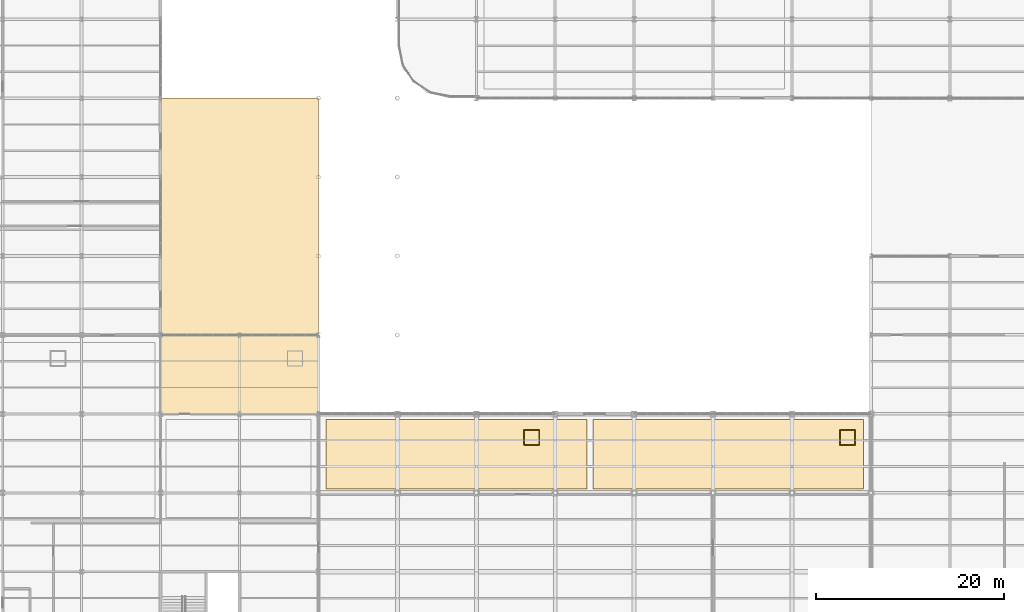
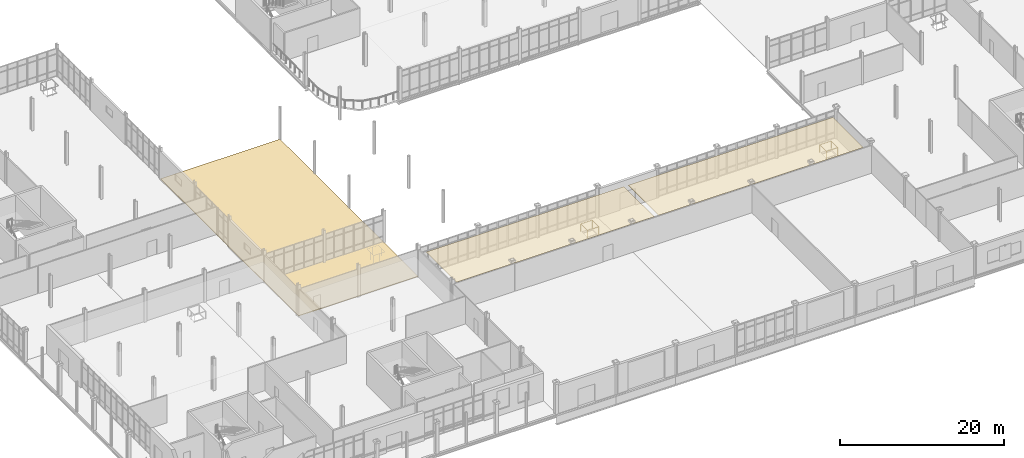
# One storey, part 138 of 145: 3 coverings, 2 railings.
"""IFC4 building model written with IfcOpenShell, lengths in metres."""

from ifc_helpers import new_model, si_unit, direction, frame, origin, origin_2d, place, context, subcontext, project, spatial, polyline, circle, outline, extrude, material, layer, layer_set, type_object, element, save


model = new_model("IFC4")

# Units and contexts
model_context = context("Model", 3, precision=1e-05, world=origin(), true_north=direction((0.0, 1.0)))
body_context = subcontext(model_context, "Body", "Model", "MODEL_VIEW")
ifc_project = project(units=[si_unit("LENGTHUNIT", "METRE"), si_unit("AREAUNIT", "SQUARE_METRE"), si_unit("VOLUMEUNIT", "CUBIC_METRE"), si_unit("PLANEANGLEUNIT", "RADIAN"), si_unit("MASSUNIT", "GRAM", prefix="KILO")], contexts=[model_context])

# Site, building, storey
site_placement = place(None, origin())
site = spatial("IfcSite", under=ifc_project, at=site_placement, CompositionType="ELEMENT")
building_placement = place(site_placement, origin())
building = spatial("IfcBuilding", under=site, at=building_placement, Name="Qalvenar Corner Mobility Hub", CompositionType="ELEMENT")
storey_placement = place(building_placement, origin())
storey = spatial("IfcBuildingStorey", under=building, at=storey_placement, Name="L00", CompositionType="ELEMENT", Elevation=0.0)

# Coverings
ifc_material_1 = material(Name="Perforated Acoustic Mineral Ceiling Board", Category="concrete")
ifc_layer_1 = layer(ifc_material_1, 0.02490234375)
ifc_layer_set_1 = layer_set([ifc_layer_1], Name="Perforated Acoustic Mineral Ceiling Board")
covering_type_1 = type_object("IfcCoveringType", Name="COV-CEIL-AC", PredefinedType="CEILING", material=ifc_layer_set_1)
covering_1_placement = place(storey_placement, frame((0.0, 0.0, 3.64990234375)))
element("IfcCovering", 1, at=covering_1_placement, inside=storey, type_object=covering_type_1, Name="Waiting Lounge West Acoustic Ceiling", PredefinedType="CEILING", context=body_context, shape_type="SweptSolid", body=[
    extrude(outline(polyline([(51.199951171875, 25.60009765625), (79.0, 25.60009765625), (79.0, 33.0), (51.199951171875, 33.0), (51.199951171875, 25.60009765625)])), origin(), (0.0, 0.0, 1.0), 0.025146484375),
])
covering_2_placement = place(storey_placement, frame((0.0, 0.0, 3.64990234375)))
element("IfcCovering", 2, at=covering_2_placement, inside=storey, type_object=covering_type_1, Name="Waiting Lounge East Acoustic Ceiling", PredefinedType="CEILING", context=body_context, shape_type="SweptSolid", body=[
    extrude(outline(polyline([(79.60009765625, 25.60009765625), (108.39990234375, 25.60009765625), (108.39990234375, 33.0), (79.60009765625, 33.0), (79.60009765625, 25.60009765625)])), origin(), (0.0, 0.0, 1.0), 0.025146484375),
])
ifc_material_2 = material(Name="Heavy-Duty Interlocking Concrete Apron Paving C40/50", Category="concrete")
ifc_layer_2 = layer(ifc_material_2, 0.080078125)
ifc_layer_set_2 = layer_set([ifc_layer_2], Name="Heavy-Duty Interlocking Concrete Apron Paving C40/50")
covering_type_2 = type_object("IfcCoveringType", Name="COV-PAV-ROAD", PredefinedType="USERDEFINED", material=ifc_layer_set_2)
covering_3_placement = place(storey_placement, frame((0.0, 0.0, -0.080078125)))
element("IfcCovering", 3, at=covering_3_placement, inside=storey, type_object=covering_type_2, Name="Central Shaded Courtyard Forecourt Apron", ObjectType="ROADWAY", PredefinedType="USERDEFINED", context=body_context, shape_type="SweptSolid", body=[
    extrude(outline(polyline([(33.60009765625, 33.60009765625), (50.39990234375, 33.60009765625), (50.39990234375, 67.199951171875), (33.60009765625, 67.199951171875), (33.60009765625, 33.60009765625)])), origin(), (0.0, 0.0, 1.0), 0.080078125),
])

# Railings
ifc_material_3 = material(Name="Galvanised Steel Deck Edge Barrier", Category="steel")
railing_type = type_object("IfcRailingType", Name="RL-GUARD-115", PredefinedType="GUARDRAIL", material=ifc_material_3)
railing_1_placement = place(storey_placement, frame((72.300048828125, 30.300048828125, 0.0)))
element("IfcRailing", 4, at=railing_1_placement, inside=storey, type_object=railing_type, Name="Riser Opening Guard V1-A-L00", PredefinedType="GUARDRAIL", context=body_context, shape_type="SweptSolid", body=[
    extrude(circle(Radius=0.02392578125, at=origin_2d()), frame((0.0, 0.0, 1.1259765625), z_axis=(1.0, 0.0, 0.0), x_axis=(0.0, 1.0, 0.0)), (0.0, 0.0, 1.0), 1.599853515625),
    extrude(circle(Radius=0.02392578125, at=origin_2d()), frame((1.599853515625, 0.0, 1.1259765625), z_axis=(0.0, 1.0, 0.0), x_axis=(-1.0, 0.0, 0.0)), (0.0, 0.0, 1.0), 1.599853515625),
    extrude(circle(Radius=0.02392578125, at=origin_2d()), frame((1.599853515625, 1.599853515625, 1.1259765625), z_axis=(-1.0, 0.0, 0.0), x_axis=(0.0, -1.0, 0.0)), (0.0, 0.0, 1.0), 1.599853515625),
    extrude(circle(Radius=0.02392578125, at=origin_2d()), frame((0.0, 1.599853515625, 1.1259765625), z_axis=(0.0, -1.0, 0.0), x_axis=(1.0, 0.0, 0.0)), (0.0, 0.0, 1.0), 1.599853515625),
    extrude(circle(Radius=0.02099609375, at=origin_2d()), origin(), (0.0, 0.0, 1.0), 1.101806640625),
    extrude(circle(Radius=0.02099609375, at=origin_2d()), frame((0.7998046875, 0.0, 0.0)), (0.0, 0.0, 1.0), 1.101806640625),
    extrude(circle(Radius=0.02099609375, at=origin_2d()), frame((1.599853515625, 0.0, 0.0)), (0.0, 0.0, 1.0), 1.101806640625),
    extrude(circle(Radius=0.02099609375, at=origin_2d()), frame((1.599853515625, 0.7998046875, 0.0)), (0.0, 0.0, 1.0), 1.101806640625),
    extrude(circle(Radius=0.02099609375, at=origin_2d()), frame((1.599853515625, 1.599853515625, 0.0)), (0.0, 0.0, 1.0), 1.101806640625),
    extrude(circle(Radius=0.02099609375, at=origin_2d()), frame((0.7998046875, 1.599853515625, 0.0)), (0.0, 0.0, 1.0), 1.101806640625),
    extrude(circle(Radius=0.02099609375, at=origin_2d()), frame((0.0, 1.599853515625, 0.0)), (0.0, 0.0, 1.0), 1.101806640625),
    extrude(circle(Radius=0.02099609375, at=origin_2d()), frame((0.0, 0.7998046875, 0.0)), (0.0, 0.0, 1.0), 1.101806640625),
])
railing_2_placement = place(storey_placement, frame((105.89990234375, 30.300048828125, 0.0)))
element("IfcRailing", 5, at=railing_2_placement, inside=storey, type_object=railing_type, Name="Riser Opening Guard V1-B-L00", PredefinedType="GUARDRAIL", context=body_context, shape_type="SweptSolid", body=[
    extrude(circle(Radius=0.02392578125, at=origin_2d()), frame((0.0, 0.0, 1.1259765625), z_axis=(1.0, 0.0, 0.0), x_axis=(0.0, 1.0, 0.0)), (0.0, 0.0, 1.0), 1.60009765625),
    extrude(circle(Radius=0.02392578125, at=origin_2d()), frame((1.60009765625, 0.0, 1.1259765625), z_axis=(0.0, 1.0, 0.0), x_axis=(-1.0, 0.0, 0.0)), (0.0, 0.0, 1.0), 1.599853515625),
    extrude(circle(Radius=0.02392578125, at=origin_2d()), frame((1.60009765625, 1.599853515625, 1.1259765625), z_axis=(-1.0, 0.0, 0.0), x_axis=(0.0, -1.0, 0.0)), (0.0, 0.0, 1.0), 1.60009765625),
    extrude(circle(Radius=0.02392578125, at=origin_2d()), frame((0.0, 1.599853515625, 1.1259765625), z_axis=(0.0, -1.0, 0.0), x_axis=(1.0, 0.0, 0.0)), (0.0, 0.0, 1.0), 1.599853515625),
    extrude(circle(Radius=0.02099609375, at=origin_2d()), origin(), (0.0, 0.0, 1.0), 1.101806640625),
    extrude(circle(Radius=0.02099609375, at=origin_2d()), frame((0.800048828125, 0.0, 0.0)), (0.0, 0.0, 1.0), 1.101806640625),
    extrude(circle(Radius=0.02099609375, at=origin_2d()), frame((1.60009765625, 0.0, 0.0)), (0.0, 0.0, 1.0), 1.101806640625),
    extrude(circle(Radius=0.02099609375, at=origin_2d()), frame((1.60009765625, 0.7998046875, 0.0)), (0.0, 0.0, 1.0), 1.101806640625),
    extrude(circle(Radius=0.02099609375, at=origin_2d()), frame((1.60009765625, 1.599853515625, 0.0)), (0.0, 0.0, 1.0), 1.101806640625),
    extrude(circle(Radius=0.02099609375, at=origin_2d()), frame((0.800048828125, 1.599853515625, 0.0)), (0.0, 0.0, 1.0), 1.101806640625),
    extrude(circle(Radius=0.02099609375, at=origin_2d()), frame((0.0, 1.599853515625, 0.0)), (0.0, 0.0, 1.0), 1.101806640625),
    extrude(circle(Radius=0.02099609375, at=origin_2d()), frame((0.0, 0.7998046875, 0.0)), (0.0, 0.0, 1.0), 1.101806640625),
])

save(model, "model.ifc")
